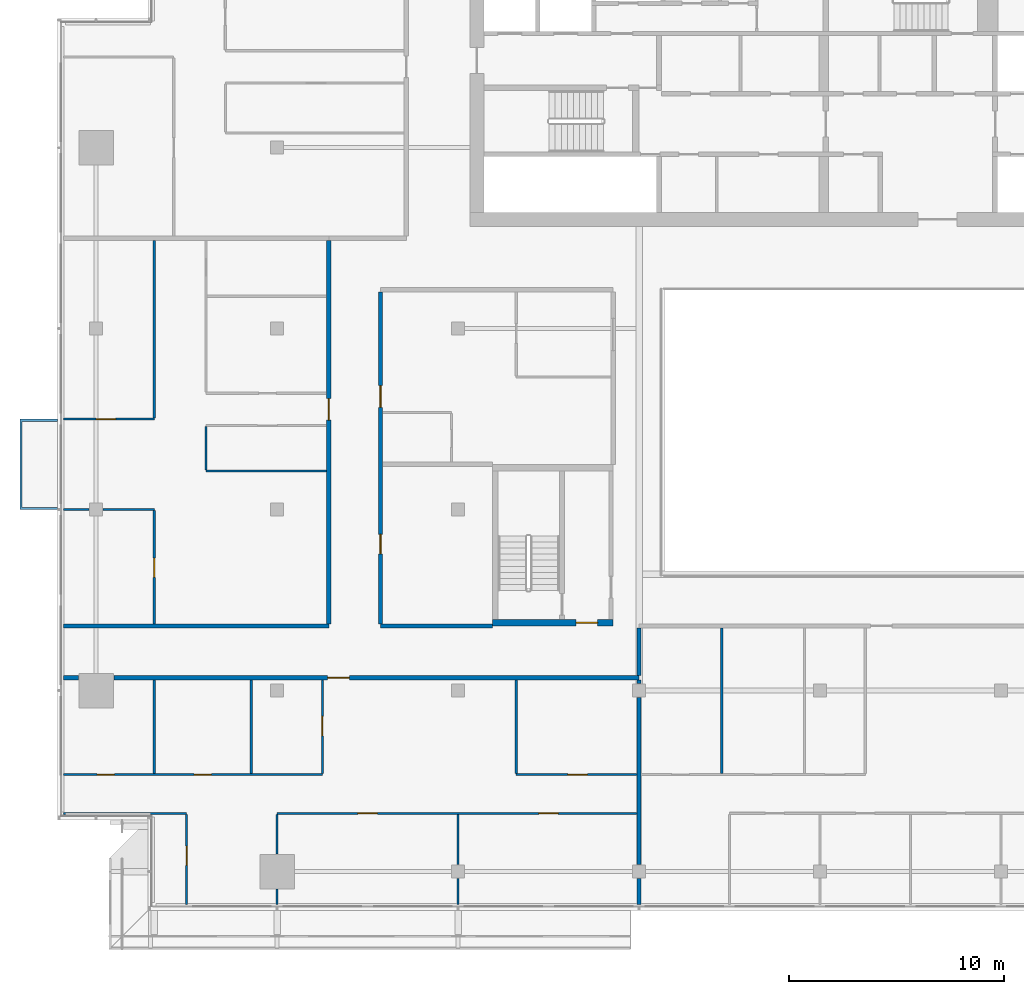
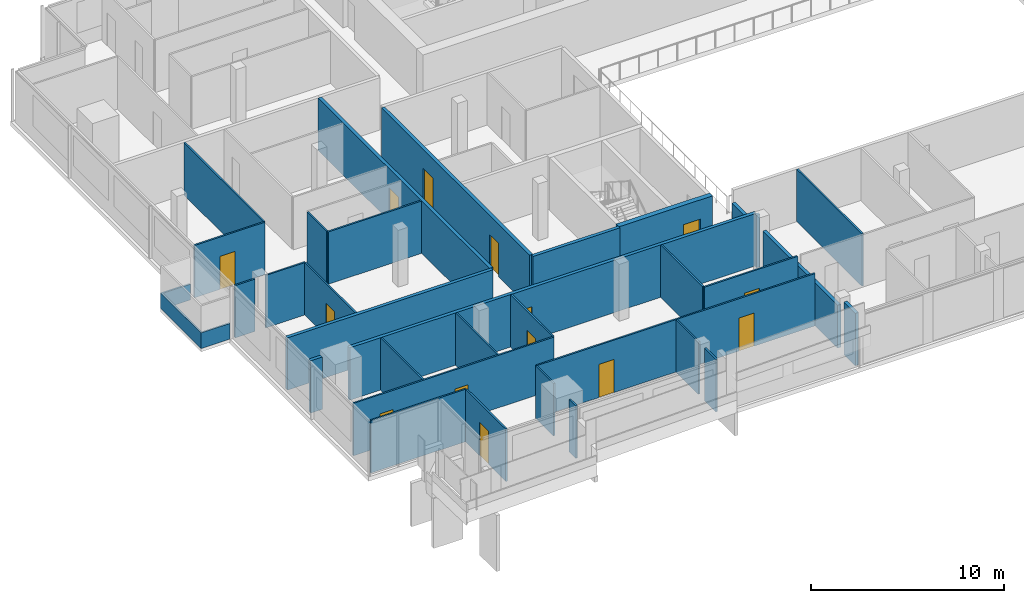
# One storey, part 17 of 29: 33 walls, 14 doors, 14 openings.
"""IFC4 building model written with IfcOpenShell, lengths in metres."""

from ifc_helpers import new_model, si_unit, direction, frame, frame_2d, origin, place, context, subcontext, project, spatial, polyline, rectangle, outline, extrude, material, layer, layer_set, type_object, element, fill, save


model = new_model("IFC4")

# Units and contexts
model_context = context("Model", 3, precision=1e-05, world=origin(), true_north=direction((0.0, 1.0)))
body_context = subcontext(model_context, "Body", "Model", "MODEL_VIEW")
ifc_project = project(units=[si_unit("LENGTHUNIT", "METRE"), si_unit("AREAUNIT", "SQUARE_METRE"), si_unit("VOLUMEUNIT", "CUBIC_METRE"), si_unit("PLANEANGLEUNIT", "RADIAN"), si_unit("MASSUNIT", "GRAM", prefix="KILO")], contexts=[model_context])

# Site, building, storey
site_placement = place(None, origin())
site = spatial("IfcSite", under=ifc_project, at=site_placement, CompositionType="ELEMENT")
building_placement = place(site_placement, origin())
building = spatial("IfcBuilding", under=site, at=building_placement, Name="Saffron Gate Tower", CompositionType="ELEMENT")
storey_placement = place(building_placement, frame((0.0, 0.0, 227.10009765625)))
storey = spatial("IfcBuildingStorey", under=building, at=storey_placement, Name="L55", CompositionType="ELEMENT", Elevation=227.10009765625)

# Wall, opening, door
ifc_material_1 = material(Name="Concrete C60", Category="concrete")
ifc_layer_1 = layer(ifc_material_1, 0.300048828125)
ifc_layer_set_1 = layer_set([ifc_layer_1], Name="CW17 RC core wall 300 C60")
wall_type_1 = type_object("IfcWallType", Name="CW17 RC core wall 300 C60", PredefinedType="SOLIDWALL", material=ifc_layer_set_1)
wall_1_placement = place(storey_placement, frame((68.199951171875, 43.35009765625, 0.0), z_axis=(0.0, 0.0, 1.0), x_axis=(1.0, 0.0, 0.0)))
wall_1 = element("IfcWall", 1, at=wall_1_placement, inside=storey, type_object=wall_type_1, Name="Wall CW17-L55-D-1", PredefinedType="SOLIDWALL", context=body_context, shape_type="SweptSolid", body=[
    extrude(rectangle(XDim=5.60009765625, YDim=0.300048828125, at=frame_2d((2.800048828125, 0.0))), origin(), (0.0, 0.0, 1.0), 3.31982421875),
])
opening_1_placement = place(wall_1_placement, frame((3.875, 0.0, 0.0)))
opening_1 = element("IfcOpeningElement", 2, at=opening_1_placement, cuts=wall_1, Name="Opening CR-18", PredefinedType="OPENING", context=body_context, shape_type="SweptSolid", body=[
    extrude(rectangle(XDim=1.0, YDim=2.10009765625, at=frame_2d((0.5, 1.050048828125))), frame((0.0, 0.16015625, 0.0), z_axis=(0.0, -1.0, 0.0), x_axis=(1.0, 0.0, 0.0)), (0.0, 0.0, 1.0), 0.320068359375),
])
ifc_material_2 = material(Name="Steel fire door set", Category="steel")
door_type_1 = type_object("IfcDoorType", Name="CD4 Lobby door 1000x2100 EI 120", OperationType="NOTDEFINED", PredefinedType="DOOR", material=ifc_material_2)
door_1_placement = place(opening_1_placement, origin())
door_1 = element("IfcDoor", 3, at=door_1_placement, inside=storey, type_object=door_type_1, Name="DOOR CR-18", OperationType="SINGLE_SWING_RIGHT", OverallHeight=2.10009765625, OverallWidth=1.0, PredefinedType="DOOR", context=body_context, shape_type="SweptSolid", body=[
    extrude(rectangle(XDim=1.0, YDim=2.10009765625, at=frame_2d((0.5, 1.050048828125))), frame((0.0, 0.02490234375, 0.0), z_axis=(0.0, -1.0, 0.0), x_axis=(1.0, 0.0, 0.0)), (0.0, 0.0, 1.0), 0.050048828125),
])
fill(opening_1, door_1)

# Wall
ifc_material_3 = material(Name="Plasterboard on steel studs", Category="steel")
ifc_layer_2 = layer(ifc_material_3, 0.10009765625)
ifc_layer_set_2 = layer_set([ifc_layer_2], Name="PW1 Partition 100")
wall_type_2 = type_object("IfcWallType", Name="PW1 Partition 100", PredefinedType="PARTITIONING", material=ifc_layer_set_2)
wall_2_placement = place(storey_placement, frame((48.280029296875, 34.5, 0.0), z_axis=(0.0, 0.0, 1.0), x_axis=(1.0, 0.0, 0.0)))
element("IfcWall", 4, at=wall_2_placement, inside=storey, type_object=wall_type_2, Name="Partition D3-1", PredefinedType="PARTITIONING", context=body_context, shape_type="SweptSolid", body=[
    extrude(rectangle(XDim=5.719970703125, YDim=0.10009765625, at=frame_2d((2.85986328125, 0.0))), origin(), (0.0, 0.0, 1.0), 3.31982421875),
])

# Wall, openings, doors
wall_3_placement = place(storey_placement, frame((74.89990234375, 34.5, 0.0), z_axis=(0.0, 0.0, 1.0), x_axis=(-1.0, 0.0, 0.0)))
wall_3 = element("IfcWall", 5, at=wall_3_placement, inside=storey, type_object=wall_type_2, Name="Partition D3-2", PredefinedType="PARTITIONING", context=body_context, shape_type="SweptSolid", body=[
    extrude(rectangle(XDim=16.699951171875, YDim=0.10009765625, at=frame_2d((8.35009765625, 0.0))), origin(), (0.0, 0.0, 1.0), 3.31982421875),
])
opening_2_placement = place(wall_3_placement, frame((3.64990234375, 0.0, 0.0)))
opening_2 = element("IfcOpeningElement", 6, at=opening_2_placement, cuts=wall_3, Name="Opening D3-12", PredefinedType="OPENING", context=body_context, shape_type="SweptSolid", body=[
    extrude(rectangle(XDim=0.89990234375, YDim=2.10009765625, at=frame_2d((0.449951171875, 1.050048828125))), frame((0.0, 0.06005859375, 0.0), z_axis=(0.0, -1.0, 0.0), x_axis=(1.0, 0.0, 0.0)), (0.0, 0.0, 1.0), 0.1201171875),
])
opening_3_placement = place(wall_3_placement, frame((12.050048828125, 0.0, 0.0)))
opening_3 = element("IfcOpeningElement", 7, at=opening_3_placement, cuts=wall_3, Name="Opening D3-11", PredefinedType="OPENING", context=body_context, shape_type="SweptSolid", body=[
    extrude(rectangle(XDim=0.89990234375, YDim=2.10009765625, at=frame_2d((0.449951171875, 1.050048828125))), frame((0.0, 0.06005859375, 0.0), z_axis=(0.0, -1.0, 0.0), x_axis=(1.0, 0.0, 0.0)), (0.0, 0.0, 1.0), 0.1201171875),
])
ifc_material_4 = material(Name="Timber door set", Category="wood")
door_type_2 = type_object("IfcDoorType", Name="RD1 Room door 900x2100", OperationType="NOTDEFINED", PredefinedType="DOOR", material=ifc_material_4)
door_2_placement = place(opening_2_placement, origin())
door_2 = element("IfcDoor", 8, at=door_2_placement, inside=storey, type_object=door_type_2, Name="Door D3-12", OperationType="SINGLE_SWING_LEFT", OverallHeight=2.10009765625, OverallWidth=0.89990234375, PredefinedType="DOOR", context=body_context, shape_type="SweptSolid", body=[
    extrude(rectangle(XDim=0.89990234375, YDim=2.10009765625, at=frame_2d((0.449951171875, 1.050048828125))), frame((0.0, 0.02490234375, 0.0), z_axis=(0.0, -1.0, 0.0), x_axis=(1.0, 0.0, 0.0)), (0.0, 0.0, 1.0), 0.050048828125),
])
fill(opening_2, door_2)
door_3_placement = place(opening_3_placement, origin())
door_3 = element("IfcDoor", 9, at=door_3_placement, inside=storey, type_object=door_type_2, Name="Door D3-11", OperationType="SINGLE_SWING_RIGHT", OverallHeight=2.10009765625, OverallWidth=0.89990234375, PredefinedType="DOOR", context=body_context, shape_type="SweptSolid", body=[
    extrude(rectangle(XDim=0.89990234375, YDim=2.10009765625, at=frame_2d((0.449951171875, 1.050048828125))), frame((0.0, 0.02490234375, 0.0), z_axis=(0.0, -1.0, 0.0), x_axis=(1.0, 0.0, 0.0)), (0.0, 0.0, 1.0), 0.050048828125),
])
fill(opening_3, door_3)

wall_4_placement = place(storey_placement, frame((48.280029296875, 36.300048828125, 0.0), z_axis=(0.0, 0.0, 1.0), x_axis=(1.0, 0.0, 0.0)))
wall_4 = element("IfcWall", 10, at=wall_4_placement, inside=storey, type_object=wall_type_2, Name="Partition D3-4", PredefinedType="PARTITIONING", context=body_context, shape_type="SweptSolid", body=[
    extrude(rectangle(XDim=12.02001953125, YDim=0.10009765625, at=frame_2d((6.010009765625, 0.0))), origin(), (0.0, 0.0, 1.0), 3.31982421875),
])
opening_4_placement = place(wall_4_placement, frame((1.570068359375, 0.0, 0.0)))
opening_4 = element("IfcOpeningElement", 11, at=opening_4_placement, cuts=wall_4, Name="Opening D3-39", PredefinedType="OPENING", context=body_context, shape_type="SweptSolid", body=[
    extrude(rectangle(XDim=0.800048828125, YDim=2.10009765625, at=frame_2d((0.39990234375, 1.050048828125))), frame((0.0, 0.06005859375, 0.0), z_axis=(0.0, -1.0, 0.0), x_axis=(1.0, 0.0, 0.0)), (0.0, 0.0, 1.0), 0.1201171875),
])
opening_5_placement = place(wall_4_placement, frame((6.070068359375, 0.0, 0.0)))
opening_5 = element("IfcOpeningElement", 12, at=opening_5_placement, cuts=wall_4, Name="Opening D3-40", PredefinedType="OPENING", context=body_context, shape_type="SweptSolid", body=[
    extrude(rectangle(XDim=0.800048828125, YDim=2.10009765625, at=frame_2d((0.39990234375, 1.050048828125))), frame((0.0, 0.06005859375, 0.0), z_axis=(0.0, -1.0, 0.0), x_axis=(1.0, 0.0, 0.0)), (0.0, 0.0, 1.0), 0.1201171875),
])
door_type_3 = type_object("IfcDoorType", Name="RD2 Bathroom door 800x2100", OperationType="NOTDEFINED", PredefinedType="DOOR", material=ifc_material_4)
door_4_placement = place(opening_4_placement, origin())
door_4 = element("IfcDoor", 13, at=door_4_placement, inside=storey, type_object=door_type_3, Name="Door D3-39", OperationType="SINGLE_SWING_LEFT", OverallHeight=2.10009765625, OverallWidth=0.800048828125, PredefinedType="DOOR", context=body_context, shape_type="SweptSolid", body=[
    extrude(rectangle(XDim=0.800048828125, YDim=2.10009765625, at=frame_2d((0.39990234375, 1.050048828125))), frame((0.0, 0.02490234375, 0.0), z_axis=(0.0, -1.0, 0.0), x_axis=(1.0, 0.0, 0.0)), (0.0, 0.0, 1.0), 0.050048828125),
])
fill(opening_4, door_4)
door_5_placement = place(opening_5_placement, origin())
door_5 = element("IfcDoor", 14, at=door_5_placement, inside=storey, type_object=door_type_3, Name="Door D3-40", OperationType="SINGLE_SWING_LEFT", OverallHeight=2.10009765625, OverallWidth=0.800048828125, PredefinedType="DOOR", context=body_context, shape_type="SweptSolid", body=[
    extrude(rectangle(XDim=0.800048828125, YDim=2.10009765625, at=frame_2d((0.39990234375, 1.050048828125))), frame((0.0, 0.02490234375, 0.0), z_axis=(0.0, -1.0, 0.0), x_axis=(1.0, 0.0, 0.0)), (0.0, 0.0, 1.0), 0.050048828125),
])
fill(opening_5, door_5)

# Walls
wall_5_placement = place(storey_placement, frame((48.280029296875, 48.60009765625, 0.0), z_axis=(0.0, 0.0, 1.0), x_axis=(1.0, 0.0, 0.0)))
element("IfcWall", 15, at=wall_5_placement, inside=storey, type_object=wall_type_2, Name="Partition D3-19", PredefinedType="PARTITIONING", context=body_context, shape_type="SweptSolid", body=[
    extrude(rectangle(XDim=1.199951171875, YDim=0.10009765625, at=frame_2d((0.60009765625, 0.0))), origin(), (0.0, 0.0, 1.0), 3.31982421875),
])
wall_6_placement = place(storey_placement, frame((50.1201171875, 48.60009765625, 0.0), z_axis=(0.0, 0.0, 1.0), x_axis=(1.0, 0.0, 0.0)))
element("IfcWall", 16, at=wall_6_placement, inside=storey, type_object=wall_type_2, Name="Partition D3-20", PredefinedType="PARTITIONING", context=body_context, shape_type="SweptSolid", body=[
    extrude(rectangle(XDim=2.3798828125, YDim=0.10009765625, at=frame_2d((1.18994140625, 0.0))), origin(), (0.0, 0.0, 1.0), 3.31982421875),
])
wall_7_placement = place(storey_placement, frame((54.89990234375, 50.39306640625, 0.0), z_axis=(0.0, 0.0, 1.0), x_axis=(1.0, 0.0, 0.0)))
element("IfcWall", 17, at=wall_7_placement, inside=storey, type_object=wall_type_2, Name="Partition D3-23", PredefinedType="PARTITIONING", context=body_context, shape_type="SweptSolid", body=[
    extrude(rectangle(XDim=5.60009765625, YDim=0.10009765625, at=frame_2d((2.800048828125, 0.0))), origin(), (0.0, 0.0, 1.0), 3.31982421875),
])

# Wall, opening, door
wall_8_placement = place(storey_placement, frame((48.280029296875, 52.800048828125, 0.0), z_axis=(0.0, 0.0, 1.0), x_axis=(1.0, 0.0, 0.0)))
wall_8 = element("IfcWall", 18, at=wall_8_placement, inside=storey, type_object=wall_type_2, Name="Partition D3-27", PredefinedType="PARTITIONING", context=body_context, shape_type="SweptSolid", body=[
    extrude(rectangle(XDim=4.219970703125, YDim=0.10009765625, at=frame_2d((2.10986328125, 0.0))), origin(), (0.0, 0.0, 1.0), 3.31982421875),
])
opening_6_placement = place(wall_8_placement, frame((1.52001953125, 0.0, 0.0)))
opening_6 = element("IfcOpeningElement", 19, at=opening_6_placement, cuts=wall_8, Name="Opening D3-26", PredefinedType="OPENING", context=body_context, shape_type="SweptSolid", body=[
    extrude(rectangle(XDim=0.89990234375, YDim=2.10009765625, at=frame_2d((0.449951171875, 1.050048828125))), frame((0.0, 0.06005859375, 0.0), z_axis=(0.0, -1.0, 0.0), x_axis=(1.0, 0.0, 0.0)), (0.0, 0.0, 1.0), 0.1201171875),
])
door_6_placement = place(opening_6_placement, origin())
door_6 = element("IfcDoor", 20, at=door_6_placement, inside=storey, type_object=door_type_2, Name="Door D3-26", OperationType="SINGLE_SWING_LEFT", OverallHeight=2.10009765625, OverallWidth=0.89990234375, PredefinedType="DOOR", context=body_context, shape_type="SweptSolid", body=[
    extrude(rectangle(XDim=0.89990234375, YDim=2.10009765625, at=frame_2d((0.449951171875, 1.050048828125))), frame((0.0, 0.02490234375, 0.0), z_axis=(0.0, -1.0, 0.0), x_axis=(1.0, 0.0, 0.0)), (0.0, 0.0, 1.0), 0.050048828125),
])
fill(opening_6, door_6)

# Wall
wall_9_placement = place(storey_placement, frame((52.5, 40.699951171875, 0.0), z_axis=(0.0, 0.0, 1.0), x_axis=(0.0, -1.0, 0.0)))
element("IfcWall", 21, at=wall_9_placement, inside=storey, type_object=wall_type_2, Name="Partition D3-55", PredefinedType="PARTITIONING", context=body_context, shape_type="SweptSolid", body=[
    extrude(rectangle(XDim=4.349853515625, YDim=0.10009765625, at=frame_2d((2.1748046875, 0.0))), origin(), (0.0, 0.0, 1.0), 3.31982421875),
])

# Wall, opening, door
wall_10_placement = place(storey_placement, frame((52.5, 43.300048828125, 0.0), z_axis=(0.0, 0.0, 1.0), x_axis=(0.0, 1.0, 0.0)))
wall_10 = element("IfcWall", 22, at=wall_10_placement, inside=storey, type_object=wall_type_2, Name="Partition D3-56", PredefinedType="PARTITIONING", context=body_context, shape_type="SweptSolid", body=[
    extrude(rectangle(XDim=5.25, YDim=0.10009765625, at=frame_2d((2.625, 0.0))), origin(), (0.0, 0.0, 1.0), 3.31982421875),
])
opening_7_placement = place(wall_10_placement, frame((2.14990234375, 0.0, 0.0)))
opening_7 = element("IfcOpeningElement", 23, at=opening_7_placement, cuts=wall_10, Name="Opening D3-25", PredefinedType="OPENING", context=body_context, shape_type="SweptSolid", body=[
    extrude(rectangle(XDim=0.89990234375, YDim=2.10009765625, at=frame_2d((0.449951171875, 1.050048828125))), frame((0.0, 0.06005859375, 0.0), z_axis=(0.0, -1.0, 0.0), x_axis=(1.0, 0.0, 0.0)), (0.0, 0.0, 1.0), 0.1201171875),
])
door_7_placement = place(opening_7_placement, origin())
door_7 = element("IfcDoor", 24, at=door_7_placement, inside=storey, type_object=door_type_2, Name="Door D3-25", OperationType="SINGLE_SWING_LEFT", OverallHeight=2.10009765625, OverallWidth=0.89990234375, PredefinedType="DOOR", context=body_context, shape_type="SweptSolid", body=[
    extrude(rectangle(XDim=0.89990234375, YDim=2.10009765625, at=frame_2d((0.449951171875, 1.050048828125))), frame((0.0, 0.02490234375, 0.0), z_axis=(0.0, -1.0, 0.0), x_axis=(1.0, 0.0, 0.0)), (0.0, 0.0, 1.0), 0.050048828125),
])
fill(opening_7, door_7)

# Wall
wall_11_placement = place(storey_placement, frame((52.5, 61.10009765625, 0.0), z_axis=(0.0, 0.0, 1.0), x_axis=(0.0, -1.0, 0.0)))
element("IfcWall", 25, at=wall_11_placement, inside=storey, type_object=wall_type_2, Name="Partition D3-57", PredefinedType="PARTITIONING", context=body_context, shape_type="SweptSolid", body=[
    extrude(rectangle(XDim=8.25, YDim=0.10009765625, at=frame_2d((4.125, 0.0))), origin(), (0.0, 0.0, 1.0), 3.31982421875),
])

# Wall, opening, door
wall_12_placement = place(storey_placement, frame((54.0, 30.280029296875, 0.0), z_axis=(0.0, 0.0, 1.0), x_axis=(0.0, 1.0, 0.0)))
wall_12 = element("IfcWall", 26, at=wall_12_placement, inside=storey, type_object=wall_type_2, Name="Partition D3-59", PredefinedType="PARTITIONING", context=body_context, shape_type="SweptSolid", body=[
    extrude(rectangle(XDim=4.169921875, YDim=0.10009765625, at=frame_2d((2.0849609375, 0.0))), origin(), (0.0, 0.0, 1.0), 3.31982421875),
])
opening_8_placement = place(wall_12_placement, frame((1.802734375, 0.0, 0.0)))
opening_8 = element("IfcOpeningElement", 27, at=opening_8_placement, cuts=wall_12, Name="Opening D3-10", PredefinedType="OPENING", context=body_context, shape_type="SweptSolid", body=[
    extrude(rectangle(XDim=0.89990234375, YDim=2.10009765625, at=frame_2d((0.449951171875, 1.050048828125))), frame((0.0, 0.06005859375, 0.0), z_axis=(0.0, -1.0, 0.0), x_axis=(1.0, 0.0, 0.0)), (0.0, 0.0, 1.0), 0.1201171875),
])
door_8_placement = place(opening_8_placement, origin())
door_8 = element("IfcDoor", 28, at=door_8_placement, inside=storey, type_object=door_type_2, Name="Door D3-10", OperationType="SINGLE_SWING_RIGHT", OverallHeight=2.10009765625, OverallWidth=0.89990234375, PredefinedType="DOOR", context=body_context, shape_type="SweptSolid", body=[
    extrude(rectangle(XDim=0.89990234375, YDim=2.10009765625, at=frame_2d((0.449951171875, 1.050048828125))), frame((0.0, 0.02490234375, 0.0), z_axis=(0.0, -1.0, 0.0), x_axis=(1.0, 0.0, 0.0)), (0.0, 0.0, 1.0), 0.050048828125),
])
fill(opening_8, door_8)

# Walls
wall_13_placement = place(storey_placement, frame((54.89990234375, 52.449951171875, 0.0), z_axis=(0.0, 0.0, 1.0), x_axis=(0.0, -1.0, 0.0)))
element("IfcWall", 29, at=wall_13_placement, inside=storey, type_object=wall_type_2, Name="Partition D3-60", PredefinedType="PARTITIONING", context=body_context, shape_type="SweptSolid", body=[
    extrude(rectangle(XDim=2.0068359375, YDim=0.10009765625, at=frame_2d((1.00341796875, 0.0))), origin(), (0.0, 0.0, 1.0), 3.31982421875),
])
wall_14_placement = place(storey_placement, frame((57.0, 40.699951171875, 0.0), z_axis=(0.0, 0.0, 1.0), x_axis=(0.0, -1.0, 0.0)))
element("IfcWall", 30, at=wall_14_placement, inside=storey, type_object=wall_type_2, Name="Partition D3-64", PredefinedType="PARTITIONING", context=body_context, shape_type="SweptSolid", body=[
    extrude(rectangle(XDim=4.349853515625, YDim=0.10009765625, at=frame_2d((2.1748046875, 0.0))), origin(), (0.0, 0.0, 1.0), 3.31982421875),
])
wall_15_placement = place(storey_placement, frame((58.199951171875, 30.97998046875, 0.0), z_axis=(0.0, 0.0, 1.0), x_axis=(0.0, -1.0, 0.0)))
element("IfcWall", 31, at=wall_15_placement, inside=storey, type_object=wall_type_2, Name="Partition D3-65", PredefinedType="PARTITIONING", context=body_context, shape_type="SweptSolid", body=[
    extrude(rectangle(XDim=0.699951171875, YDim=0.10009765625, at=frame_2d((0.35009765625, 0.0))), origin(), (0.0, 0.0, 1.0), 3.31982421875),
])
wall_16_placement = place(storey_placement, frame((58.199951171875, 34.449951171875, 0.0), z_axis=(0.0, 0.0, 1.0), x_axis=(0.0, -1.0, 0.0)))
element("IfcWall", 32, at=wall_16_placement, inside=storey, type_object=wall_type_2, Name="Partition D3-66", PredefinedType="PARTITIONING", context=body_context, shape_type="SweptSolid", body=[
    extrude(rectangle(XDim=1.829833984375, YDim=0.10009765625, at=frame_2d((0.9150390625, 0.0))), origin(), (0.0, 0.0, 1.0), 3.31982421875),
])

# Wall, opening, door
wall_17_placement = place(storey_placement, frame((60.300048828125, 36.35009765625, 0.0), z_axis=(0.0, 0.0, 1.0), x_axis=(0.0, 1.0, 0.0)))
wall_17 = element("IfcWall", 33, at=wall_17_placement, inside=storey, type_object=wall_type_2, Name="Partition D3-67", PredefinedType="PARTITIONING", context=body_context, shape_type="SweptSolid", body=[
    extrude(rectangle(XDim=4.349853515625, YDim=0.10009765625, at=frame_2d((2.1748046875, 0.0))), origin(), (0.0, 0.0, 1.0), 3.31982421875),
])
opening_9_placement = place(wall_17_placement, frame((1.75, 0.0, 0.0)))
opening_9 = element("IfcOpeningElement", 34, at=opening_9_placement, cuts=wall_17, Name="Opening D3-14", PredefinedType="OPENING", context=body_context, shape_type="SweptSolid", body=[
    extrude(rectangle(XDim=0.89990234375, YDim=2.10009765625, at=frame_2d((0.449951171875, 1.050048828125))), frame((0.0, 0.06005859375, 0.0), z_axis=(0.0, -1.0, 0.0), x_axis=(1.0, 0.0, 0.0)), (0.0, 0.0, 1.0), 0.1201171875),
])
door_9_placement = place(opening_9_placement, origin())
door_9 = element("IfcDoor", 35, at=door_9_placement, inside=storey, type_object=door_type_2, Name="Door D3-14", OperationType="SINGLE_SWING_RIGHT", OverallHeight=2.10009765625, OverallWidth=0.89990234375, PredefinedType="DOOR", context=body_context, shape_type="SweptSolid", body=[
    extrude(rectangle(XDim=0.89990234375, YDim=2.10009765625, at=frame_2d((0.449951171875, 1.050048828125))), frame((0.0, 0.02490234375, 0.0), z_axis=(0.0, -1.0, 0.0), x_axis=(1.0, 0.0, 0.0)), (0.0, 0.0, 1.0), 0.050048828125),
])
fill(opening_9, door_9)

# Walls
wall_18_placement = place(storey_placement, frame((66.60009765625, 31.47998046875, 0.0), z_axis=(0.0, 0.0, 1.0), x_axis=(0.0, -1.0, 0.0)))
element("IfcWall", 36, at=wall_18_placement, inside=storey, type_object=wall_type_2, Name="Partition D3-72", PredefinedType="PARTITIONING", context=body_context, shape_type="SweptSolid", body=[
    extrude(rectangle(XDim=1.199951171875, YDim=0.10009765625, at=frame_2d((0.60009765625, 0.0))), origin(), (0.0, 0.0, 1.0), 3.31982421875),
])
wall_19_placement = place(storey_placement, frame((66.60009765625, 34.449951171875, 0.0), z_axis=(0.0, 0.0, 1.0), x_axis=(0.0, -1.0, 0.0)))
element("IfcWall", 37, at=wall_19_placement, inside=storey, type_object=wall_type_2, Name="Partition D3-73", PredefinedType="PARTITIONING", context=body_context, shape_type="SweptSolid", body=[
    extrude(rectangle(XDim=2.329833984375, YDim=0.10009765625, at=frame_2d((1.1650390625, 0.0))), origin(), (0.0, 0.0, 1.0), 3.31982421875),
])
wall_20_placement = place(storey_placement, frame((69.300048828125, 40.699951171875, 0.0), z_axis=(0.0, 0.0, 1.0), x_axis=(0.0, -1.0, 0.0)))
element("IfcWall", 38, at=wall_20_placement, inside=storey, type_object=wall_type_2, Name="Partition D3-74", PredefinedType="PARTITIONING", context=body_context, shape_type="SweptSolid", body=[
    extrude(rectangle(XDim=4.349853515625, YDim=0.10009765625, at=frame_2d((2.1748046875, 0.0))), origin(), (0.0, 0.0, 1.0), 3.31982421875),
])
wall_21_placement = place(storey_placement, frame((78.840576171875, 43.10009765625, 0.0), z_axis=(0.0, 0.0, 1.0), x_axis=(0.0, -1.0, 0.0)))
element("IfcWall", 39, at=wall_21_placement, inside=storey, type_object=wall_type_2, Name="Partition D3-81", PredefinedType="PARTITIONING", context=body_context, shape_type="SweptSolid", body=[
    extrude(rectangle(XDim=6.75, YDim=0.10009765625, at=frame_2d((3.375, 0.0))), origin(), (0.0, 0.0, 1.0), 3.31982421875),
])

# Wall, opening, door
wall_22_placement = place(storey_placement, frame((69.300048828125, 36.300048828125, 0.0), z_axis=(0.0, 0.0, 1.0), x_axis=(1.0, 0.0, 0.0)))
wall_22 = element("IfcWall", 40, at=wall_22_placement, inside=storey, type_object=wall_type_2, Name="Partition D3-114", PredefinedType="PARTITIONING", context=body_context, shape_type="SweptSolid", body=[
    extrude(rectangle(XDim=5.599853515625, YDim=0.10009765625, at=frame_2d((2.7998046875, 0.0))), origin(), (0.0, 0.0, 1.0), 3.31982421875),
])
opening_10_placement = place(wall_22_placement, frame((2.39990234375, 0.0, 0.0)))
opening_10 = element("IfcOpeningElement", 41, at=opening_10_placement, cuts=wall_22, Name="Opening D3-13", PredefinedType="OPENING", context=body_context, shape_type="SweptSolid", body=[
    extrude(rectangle(XDim=0.89990234375, YDim=2.10009765625, at=frame_2d((0.449951171875, 1.050048828125))), frame((0.0, 0.06005859375, 0.0), z_axis=(0.0, -1.0, 0.0), x_axis=(1.0, 0.0, 0.0)), (0.0, 0.0, 1.0), 0.1201171875),
])
door_10_placement = place(opening_10_placement, origin())
door_10 = element("IfcDoor", 42, at=door_10_placement, inside=storey, type_object=door_type_2, Name="Door D3-13", OperationType="SINGLE_SWING_RIGHT", OverallHeight=2.10009765625, OverallWidth=0.89990234375, PredefinedType="DOOR", context=body_context, shape_type="SweptSolid", body=[
    extrude(rectangle(XDim=0.89990234375, YDim=2.10009765625, at=frame_2d((0.449951171875, 1.050048828125))), frame((0.0, 0.02490234375, 0.0), z_axis=(0.0, -1.0, 0.0), x_axis=(1.0, 0.0, 0.0)), (0.0, 0.0, 1.0), 0.050048828125),
])
fill(opening_10, door_10)

# Walls
ifc_material_5 = material(Name="Clay brick masonry, rendered", Category="masonry")
ifc_layer_3 = layer(ifc_material_5, 0.199951171875)
ifc_layer_set_3 = layer_set([ifc_layer_3], Name="PW2 Demising wall 200")
wall_type_3 = type_object("IfcWallType", Name="PW2 Demising wall 200", PredefinedType="PARTITIONING", material=ifc_layer_set_3)
wall_23_placement = place(storey_placement, frame((75.0, 31.47998046875, 0.0), z_axis=(0.0, 0.0, 1.0), x_axis=(0.0, -1.0, 0.0)))
element("IfcWall", 43, at=wall_23_placement, inside=storey, type_object=wall_type_3, Name="Wall D3-78", PredefinedType="PARTITIONING", context=body_context, shape_type="SweptSolid", body=[
    extrude(rectangle(XDim=1.199951171875, YDim=0.199951171875, at=frame_2d((0.60009765625, 0.0))), origin(), (0.0, 0.0, 1.0), 3.31982421875),
])
wall_24_placement = place(storey_placement, frame((75.0, 39.8798828125, 0.0), z_axis=(0.0, 0.0, 1.0), x_axis=(0.0, -1.0, 0.0)))
element("IfcWall", 44, at=wall_24_placement, inside=storey, type_object=wall_type_3, Name="Wall D3-79", PredefinedType="PARTITIONING", context=body_context, shape_type="SweptSolid", body=[
    extrude(rectangle(XDim=7.759765625, YDim=0.199951171875, at=frame_2d((3.8798828125, 0.0))), origin(), (0.0, 0.0, 1.0), 2.719970703125),
])
wall_25_placement = place(storey_placement, frame((75.0, 40.699951171875, 0.0), z_axis=(0.0, 0.0, 1.0), x_axis=(0.0, -1.0, 0.0)))
element("IfcWall", 45, at=wall_25_placement, inside=storey, type_object=wall_type_3, Name="Wall D3-80", PredefinedType="PARTITIONING", context=body_context, shape_type="SweptSolid", body=[
    extrude(rectangle(XDim=0.179931640625, YDim=0.199951171875, at=frame_2d((0.08984375, 0.0))), origin(), (0.0, 0.0, 1.0), 3.31982421875),
])
ifc_layer_4 = layer(ifc_material_5, 0.199951171875)
ifc_layer_set_4 = layer_set([ifc_layer_4], Name="PW3 Corridor wall 200")
wall_type_4 = type_object("IfcWallType", Name="PW3 Corridor wall 200", PredefinedType="PARTITIONING", material=ifc_layer_set_4)
wall_26_placement = place(storey_placement, frame((48.280029296875, 40.800048828125, 0.0), z_axis=(0.0, 0.0, 1.0), x_axis=(1.0, 0.0, 0.0)))
element("IfcWall", 46, at=wall_26_placement, inside=storey, type_object=wall_type_4, Name="Wall D3-8", PredefinedType="PARTITIONING", context=body_context, shape_type="SweptSolid", body=[
    extrude(rectangle(XDim=0.699951171875, YDim=0.199951171875, at=frame_2d((0.35009765625, 0.0))), origin(), (0.0, 0.0, 1.0), 3.31982421875),
])

# Wall, opening, door
wall_27_placement = place(storey_placement, frame((75.0, 40.800048828125, 0.0), z_axis=(0.0, 0.0, 1.0), x_axis=(-1.0, 0.0, 0.0)))
wall_27 = element("IfcWall", 47, at=wall_27_placement, inside=storey, type_object=wall_type_4, Name="Wall D3-9", PredefinedType="PARTITIONING", context=body_context, shape_type="SweptSolid", body=[
    extrude(rectangle(XDim=24.3798828125, YDim=0.199951171875, at=frame_2d((12.18994140625, 0.0))), origin(), (0.0, 0.0, 1.0), 3.31982421875),
])
opening_11_placement = place(wall_27_placement, frame((13.449951171875, 0.0, 0.0)))
opening_11 = element("IfcOpeningElement", 48, at=opening_11_placement, cuts=wall_27, Name="Opening D3-1", PredefinedType="OPENING", context=body_context, shape_type="SweptSolid", body=[
    extrude(rectangle(XDim=1.0, YDim=2.10009765625, at=frame_2d((0.5, 1.050048828125))), frame((0.0, 0.10986328125, 0.0), z_axis=(0.0, -1.0, 0.0), x_axis=(1.0, 0.0, 0.0)), (0.0, 0.0, 1.0), 0.219970703125),
])
ifc_material_6 = material(Name="Timber fire door set", Category="wood")
door_type_4 = type_object("IfcDoorType", Name="FD1 Flat entry door 1000x2100", OperationType="NOTDEFINED", PredefinedType="DOOR", material=ifc_material_6)
door_11_placement = place(opening_11_placement, origin())
door_11 = element("IfcDoor", 49, at=door_11_placement, inside=storey, type_object=door_type_4, Name="Door D3-1", OperationType="SINGLE_SWING_LEFT", OverallHeight=2.10009765625, OverallWidth=1.0, PredefinedType="DOOR", context=body_context, shape_type="SweptSolid", body=[
    extrude(rectangle(XDim=1.0, YDim=2.10009765625, at=frame_2d((0.5, 1.050048828125))), frame((0.0, 0.02490234375, 0.0), z_axis=(0.0, -1.0, 0.0), x_axis=(1.0, 0.0, 0.0)), (0.0, 0.0, 1.0), 0.050048828125),
])
fill(opening_11, door_11)

# Walls
wall_28_placement = place(storey_placement, frame((48.280029296875, 43.199951171875, 0.0), z_axis=(0.0, 0.0, 1.0), x_axis=(1.0, 0.0, 0.0)))
element("IfcWall", 50, at=wall_28_placement, inside=storey, type_object=wall_type_4, Name="Wall D3-12", PredefinedType="PARTITIONING", context=body_context, shape_type="SweptSolid", body=[
    extrude(rectangle(XDim=12.320068359375, YDim=0.199951171875, at=frame_2d((6.16015625, 0.0))), origin(), (0.0, 0.0, 1.0), 3.31982421875),
])
wall_29_placement = place(storey_placement, frame((63.0, 43.199951171875, 0.0), z_axis=(0.0, 0.0, 1.0), x_axis=(1.0, 0.0, 0.0)))
element("IfcWall", 51, at=wall_29_placement, inside=storey, type_object=wall_type_4, Name="Wall D3-13", PredefinedType="PARTITIONING", context=body_context, shape_type="SweptSolid", body=[
    extrude(rectangle(XDim=5.199951171875, YDim=0.199951171875, at=frame_2d((2.60009765625, 0.0))), origin(), (0.0, 0.0, 1.0), 3.31982421875),
])

# Wall, opening, door
wall_30_placement = place(storey_placement, frame((60.60009765625, 43.300048828125, 0.0), z_axis=(0.0, 0.0, 1.0), x_axis=(0.0, 1.0, 0.0)))
wall_30 = element("IfcWall", 52, at=wall_30_placement, inside=storey, type_object=wall_type_4, Name="Wall D3-68", PredefinedType="PARTITIONING", context=body_context, shape_type="SweptSolid", body=[
    extrude(rectangle(XDim=17.800048828125, YDim=0.199951171875, at=frame_2d((8.89990234375, 0.0))), origin(), (0.0, 0.0, 1.0), 3.31982421875),
])
opening_12_placement = place(wall_30_placement, frame((9.449951171875, 0.0, 0.0)))
opening_12 = element("IfcOpeningElement", 53, at=opening_12_placement, cuts=wall_30, Name="Opening D3-4", PredefinedType="OPENING", context=body_context, shape_type="SweptSolid", body=[
    extrude(rectangle(XDim=1.0, YDim=2.10009765625, at=frame_2d((0.5, 1.050048828125))), frame((0.0, 0.10986328125, 0.0), z_axis=(0.0, -1.0, 0.0), x_axis=(1.0, 0.0, 0.0)), (0.0, 0.0, 1.0), 0.219970703125),
])
door_12_placement = place(opening_12_placement, origin())
door_12 = element("IfcDoor", 54, at=door_12_placement, inside=storey, type_object=door_type_4, Name="Door D3-4", OperationType="SINGLE_SWING_RIGHT", OverallHeight=2.10009765625, OverallWidth=1.0, PredefinedType="DOOR", context=body_context, shape_type="SweptSolid", body=[
    extrude(rectangle(XDim=1.0, YDim=2.10009765625, at=frame_2d((0.5, 1.050048828125))), frame((0.0, 0.02490234375, 0.0), z_axis=(0.0, -1.0, 0.0), x_axis=(1.0, 0.0, 0.0)), (0.0, 0.0, 1.0), 0.050048828125),
])
fill(opening_12, door_12)

# Wall, openings, doors
wall_31_placement = place(storey_placement, frame((63.0, 58.699951171875, 0.0), z_axis=(0.0, 0.0, 1.0), x_axis=(0.0, -1.0, 0.0)))
wall_31 = element("IfcWall", 55, at=wall_31_placement, inside=storey, type_object=wall_type_4, Name="Wall D3-69", PredefinedType="PARTITIONING", context=body_context, shape_type="SweptSolid", body=[
    extrude(rectangle(XDim=15.39990234375, YDim=0.199951171875, at=frame_2d((7.699951171875, 0.0))), origin(), (0.0, 0.0, 1.0), 3.31982421875),
])
opening_13_placement = place(wall_31_placement, frame((4.35009765625, 0.0, 0.0)))
opening_13 = element("IfcOpeningElement", 56, at=opening_13_placement, cuts=wall_31, Name="Opening D3-8", PredefinedType="OPENING", context=body_context, shape_type="SweptSolid", body=[
    extrude(rectangle(XDim=1.0, YDim=2.10009765625, at=frame_2d((0.5, 1.050048828125))), frame((0.0, 0.10986328125, 0.0), z_axis=(0.0, -1.0, 0.0), x_axis=(1.0, 0.0, 0.0)), (0.0, 0.0, 1.0), 0.219970703125),
])
opening_14_placement = place(wall_31_placement, frame((11.25, 0.0, 0.0)))
opening_14 = element("IfcOpeningElement", 57, at=opening_14_placement, cuts=wall_31, Name="Opening D3-55", PredefinedType="OPENING", context=body_context, shape_type="SweptSolid", body=[
    extrude(rectangle(XDim=0.89990234375, YDim=2.10009765625, at=frame_2d((0.449951171875, 1.050048828125))), frame((0.0, 0.10986328125, 0.0), z_axis=(0.0, -1.0, 0.0), x_axis=(1.0, 0.0, 0.0)), (0.0, 0.0, 1.0), 0.219970703125),
])
door_13_placement = place(opening_13_placement, origin())
door_13 = element("IfcDoor", 58, at=door_13_placement, inside=storey, type_object=door_type_4, Name="Door D3-8", OperationType="SINGLE_SWING_LEFT", OverallHeight=2.10009765625, OverallWidth=1.0, PredefinedType="DOOR", context=body_context, shape_type="SweptSolid", body=[
    extrude(rectangle(XDim=1.0, YDim=2.10009765625, at=frame_2d((0.5, 1.050048828125))), frame((0.0, 0.02490234375, 0.0), z_axis=(0.0, -1.0, 0.0), x_axis=(1.0, 0.0, 0.0)), (0.0, 0.0, 1.0), 0.050048828125),
])
fill(opening_13, door_13)
door_type_5 = type_object("IfcDoorType", Name="SD1 Service door 900x2100", OperationType="NOTDEFINED", PredefinedType="DOOR", material=ifc_material_2)
door_14_placement = place(opening_14_placement, origin())
door_14 = element("IfcDoor", 59, at=door_14_placement, inside=storey, type_object=door_type_5, Name="Door D3-55", OperationType="SINGLE_SWING_RIGHT", OverallHeight=2.10009765625, OverallWidth=0.89990234375, PredefinedType="DOOR", context=body_context, shape_type="SweptSolid", body=[
    extrude(rectangle(XDim=0.89990234375, YDim=2.10009765625, at=frame_2d((0.449951171875, 1.050048828125))), frame((0.0, 0.02490234375, 0.0), z_axis=(0.0, -1.0, 0.0), x_axis=(1.0, 0.0, 0.0)), (0.0, 0.0, 1.0), 0.050048828125),
])
fill(opening_14, door_14)

# Walls
wall_32_placement = place(storey_placement, frame((75.0, 43.10009765625, 0.0), z_axis=(0.0, 0.0, 1.0), x_axis=(0.0, -1.0, 0.0)))
element("IfcWall", 60, at=wall_32_placement, inside=storey, type_object=wall_type_4, Name="Wall D3-77", PredefinedType="PARTITIONING", context=body_context, shape_type="SweptSolid", body=[
    extrude(rectangle(XDim=2.2001953125, YDim=0.199951171875, at=frame_2d((1.10009765625, 0.0))), origin(), (0.0, 0.0, 1.0), 2.52978515625),
])
ifc_material_7 = material(Name="Rendered insulated panel, white")
ifc_layer_5 = layer(ifc_material_7, 0.10009765625)
ifc_layer_set_5 = layer_set([ifc_layer_5], Name="WB3 box parapet white")
wall_type_5 = type_object("IfcWallType", Name="WB3 box parapet white", PredefinedType="SOLIDWALL", material=ifc_layer_set_5)
wall_33_placement = place(storey_placement, origin())
element("IfcWall", 61, at=wall_33_placement, inside=storey, type_object=wall_type_5, Name="WINDOW BOX parapet", PredefinedType="SOLIDWALL", context=body_context, shape_type="SweptSolid", body=[
    extrude(outline(polyline([(48.0, 52.800048828125), (48.0, 52.699951171875), (46.366943359375, 52.699951171875), (46.366943359375, 48.699951171875), (48.0, 48.699951171875), (48.0, 48.60009765625), (46.26708984375, 48.60009765625), (46.26708984375, 52.800048828125), (48.0, 52.800048828125)])), origin(), (0.0, 0.0, 1.0), 1.0),
])

save(model, "model.ifc")
